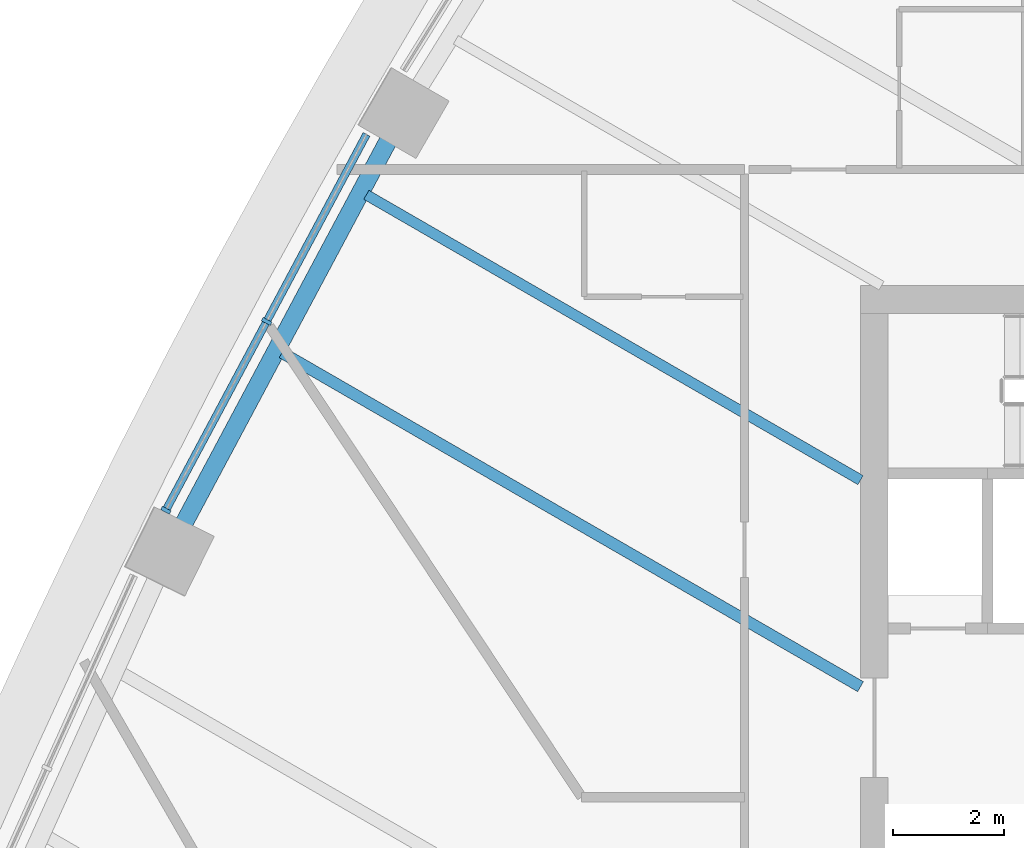
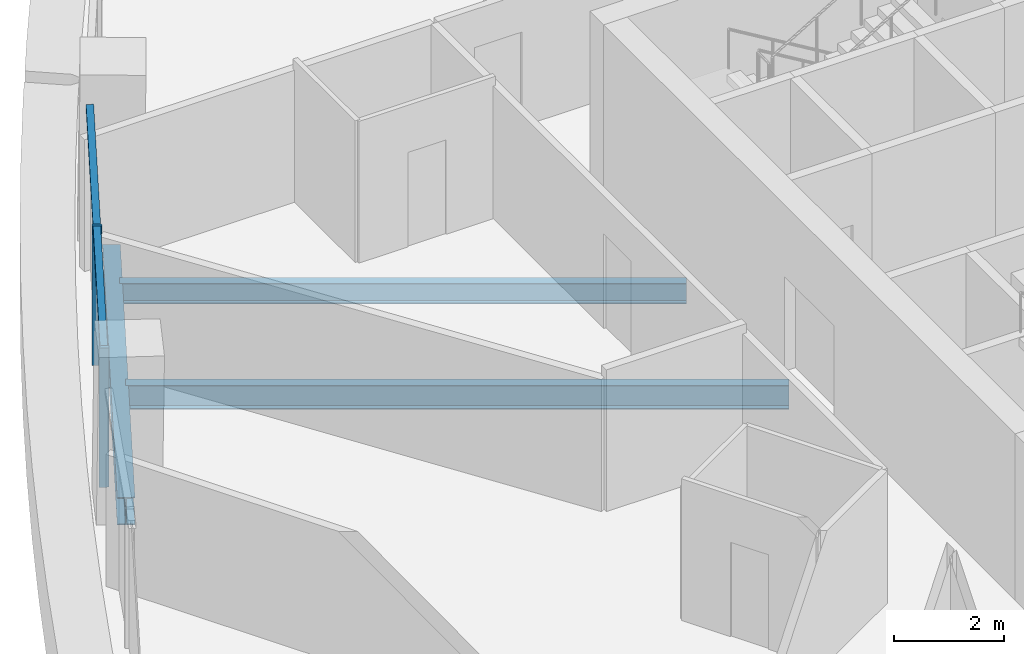
# One storey, part 3 of 17: 4 members, 3 beams, 1 element without a shape of its own.
"""IFC4 building model written with IfcOpenShell, lengths in metres."""

from ifc_helpers import new_model, si_unit, direction, frame, origin, origin_2d, place, context, subcontext, project, spatial, rectangle, i_section, extrude, material, layer, layer_set, material_profile, profile_set, type_object, element, aggregate, save


model = new_model("IFC4")

# Units and contexts
model_context = context("Model", 3, precision=1e-05, world=origin(), true_north=direction((0.0, 1.0)))
body_context = subcontext(model_context, "Body", "Model", "MODEL_VIEW")
ifc_project = project(units=[si_unit("LENGTHUNIT", "METRE"), si_unit("AREAUNIT", "SQUARE_METRE"), si_unit("VOLUMEUNIT", "CUBIC_METRE"), si_unit("PLANEANGLEUNIT", "RADIAN"), si_unit("MASSUNIT", "GRAM", prefix="KILO")], contexts=[model_context])

# Site, building, storey
site_placement = place(None, origin())
site = spatial("IfcSite", under=ifc_project, at=site_placement, CompositionType="ELEMENT")
building_placement = place(site_placement, origin())
building = spatial("IfcBuilding", under=site, at=building_placement, Name="Sierra Prisma Convention Tower", CompositionType="ELEMENT")
storey_placement = place(building_placement, frame((0.0, 0.0, 92.39990234375)))
storey = spatial("IfcBuildingStorey", under=building, at=storey_placement, Name="L19", CompositionType="ELEMENT", Elevation=92.39990234375)

# Curtain wall, members
ifc_material_1 = material(Name="Aluminium and glass curtain wall", Category="aluminium")
ifc_layer = layer(ifc_material_1, 0.179931640625)
ifc_layer_set = layer_set([ifc_layer], Name="CW-1 Plain shaft curtain wall")
curtain_wall_type = type_object("IfcCurtainWallType", Name="CW-1 Plain shaft curtain wall", PredefinedType="NOTDEFINED", material=ifc_layer_set)
curtain_wall_placement = place(storey_placement, origin())
curtain_wall = element("IfcCurtainWall", 1, at=curtain_wall_placement, inside=storey, type_object=curtain_wall_type, Name="CW-1 NW4 L19", PredefinedType="NOTDEFINED")
ifc_material_2 = material(Name="Aluminium 6063-T6 bronze anodised", Category="aluminium")
ifc_material_profile_1 = material_profile(ifc_material_2, rectangle(XDim=0.179931640625, YDim=0.070068359375, at=origin_2d()), Name="ALU MULLION 70x180")
ifc_profile_set_1 = profile_set([ifc_material_profile_1], Name="Aluminium 6063-T6 bronze anodised")
member_type_1 = type_object("IfcMemberType", Name="CW mullion bronze", PredefinedType="MULLION", material=ifc_profile_set_1)
member_1_placement = place(storey_placement, frame((-21.742431640625, 7.35302734375, 0.0), z_axis=(0.0, 0.0, 1.0), x_axis=(0.882162633822, -0.470944887952, 0.0)))
member_1 = element("IfcMember", 2, at=member_1_placement, type_object=member_type_1, Name="CW-1 mullion NW4.2", PredefinedType="MULLION", context=body_context, shape_type="SweptSolid", body=[
    extrude(rectangle(XDim=0.179931640625, YDim=0.070068359375, at=origin_2d()), origin(), (0.0, 0.0, 1.0), 3.10009765625),
])
member_2_placement = place(storey_placement, frame((-23.5654296875, 3.938232421875, 0.0), z_axis=(0.0, 0.0, 1.0), x_axis=(0.882162633822, -0.470944887952, 0.0)))
member_2 = element("IfcMember", 3, at=member_2_placement, type_object=member_type_1, Name="CW-1 mullion NW4.3", PredefinedType="MULLION", context=body_context, shape_type="SweptSolid", body=[
    extrude(rectangle(XDim=0.179931640625, YDim=0.070068359375, at=origin_2d()), origin(), (0.0, 0.0, 1.0), 3.10009765625),
])
ifc_material_3 = material(Name="Aluminium 6063-T6 bronze anodised", Category="aluminium")
ifc_material_profile_2 = material_profile(ifc_material_3, rectangle(XDim=0.139892578125, YDim=0.1201171875, at=origin_2d()), Name="ALU TRANSOM 120x140")
ifc_profile_set_2 = profile_set([ifc_material_profile_2], Name="Aluminium 6063-T6 bronze anodised")
member_type_2 = type_object("IfcMemberType", Name="CW transom bronze", PredefinedType="USERDEFINED", material=ifc_profile_set_2)
member_3_placement = place(storey_placement, frame((-19.93603515625, 10.73681640625, 3.0400390625), z_axis=(-0.470898262307, -0.882187523465, 0.0), x_axis=(0.882187523465, -0.470898262307, 0.0)))
member_3 = element("IfcMember", 4, at=member_3_placement, type_object=member_type_2, Name="CW-1 transom NW4.1", ObjectType="TRANSOM", PredefinedType="USERDEFINED", context=body_context, shape_type="SweptSolid", body=[
    extrude(rectangle(XDim=0.139892578125, YDim=0.1201171875, at=origin_2d()), origin(), (0.0, 0.0, 1.0), 3.80078125),
])
member_4_placement = place(storey_placement, frame((-21.759033203125, 7.322021484375, 3.0400390625), z_axis=(-0.470924947661, -0.88217327871, 0.0), x_axis=(0.88217327871, -0.470924947661, 0.0)))
member_4 = element("IfcMember", 5, at=member_4_placement, type_object=member_type_2, Name="CW-1 transom NW4.2", ObjectType="TRANSOM", PredefinedType="USERDEFINED", context=body_context, shape_type="SweptSolid", body=[
    extrude(rectangle(XDim=0.139892578125, YDim=0.1201171875, at=origin_2d()), origin(), (0.0, 0.0, 1.0), 3.800537109375),
])
aggregate(curtain_wall, [member_1, member_2, member_3, member_4])

# Beams
ifc_material_4 = material(Name="Steel ASTM A992 Gr 50", Category="steel")
ifc_material_profile_3 = material_profile(ifc_material_4, i_section(OverallWidth=0.18994140625, OverallDepth=0.45703125, WebThickness=0.009033203125, FlangeThickness=0.014404296875, at=origin_2d()), Name="W460x74")
ifc_profile_set_3 = profile_set([ifc_material_profile_3], Name="Steel ASTM A992 Gr 50")
beam_type_1 = type_object("IfcBeamType", Name="Floor joist W460x74", PredefinedType="JOIST", material=ifc_profile_set_3)
beam_1_placement = place(storey_placement, frame((-19.938720703125, 9.6435546875, -0.37841796875), z_axis=(0.866020542852, -0.500008419287, 0.0), x_axis=(0.500008419287, 0.866020542852, 0.0)))
element("IfcBeam", 6, at=beam_1_placement, inside=storey, type_object=beam_type_1, Name="Floor joist L19 NW09", PredefinedType="JOIST", context=body_context, shape_type="SweptSolid", body=[
    extrude(i_section(OverallWidth=0.18994140625, OverallDepth=0.45703125, WebThickness=0.009033203125, FlangeThickness=0.014404296875, at=origin_2d()), origin(), (0.0, 0.0, 1.0), 10.321533203125),
])
ifc_material_5 = material(Name="Steel ASTM A992 Gr 50", Category="steel")
ifc_material_profile_4 = material_profile(ifc_material_5, i_section(OverallWidth=0.208984375, OverallDepth=0.532958984375, WebThickness=0.01025390625, FlangeThickness=0.015625, at=origin_2d()), Name="W530x92")
ifc_profile_set_4 = profile_set([ifc_material_profile_4], Name="Steel ASTM A992 Gr 50")
beam_type_2 = type_object("IfcBeamType", Name="Floor joist W530x92", PredefinedType="JOIST", material=ifc_profile_set_4)
beam_2_placement = place(storey_placement, frame((-21.46337890625, 6.78759765625, -0.41650390625), z_axis=(0.866026084844, -0.499998820369, 0.0), x_axis=(0.499998820369, 0.866026084844, 0.0)))
element("IfcBeam", 7, at=beam_2_placement, inside=storey, type_object=beam_type_2, Name="Floor joist L19 NW10", PredefinedType="JOIST", context=body_context, shape_type="SweptSolid", body=[
    extrude(i_section(OverallWidth=0.208984375, OverallDepth=0.532958984375, WebThickness=0.01025390625, FlangeThickness=0.015625, at=origin_2d()), origin(), (0.0, 0.0, 1.0), 12.08203125),
])
ifc_material_6 = material(Name="Steel ASTM A992 Gr 50", Category="steel")
ifc_material_profile_5 = material_profile(ifc_material_6, i_section(OverallWidth=0.324951171875, OverallDepth=0.615966796875, WebThickness=0.013916015625, FlangeThickness=0.021484375, at=origin_2d()), Name="W610x174")
ifc_profile_set_5 = profile_set([ifc_material_profile_5], Name="Steel ASTM A992 Gr 50")
beam_type_3 = type_object("IfcBeamType", Name="Spandrel beam W610x174", PredefinedType="BEAM", material=ifc_profile_set_5)
beam_3_placement = place(storey_placement, frame((-19.500244140625, 10.7041015625, -0.4580078125), z_axis=(-0.470953971616, -0.882157784424, 0.0), x_axis=(0.882157784424, -0.470953971616, 0.0)))
element("IfcBeam", 8, at=beam_3_placement, inside=storey, type_object=beam_type_3, Name="Spandrel L19-16", PredefinedType="BEAM", context=body_context, shape_type="SweptSolid", body=[
    extrude(i_section(OverallWidth=0.324951171875, OverallDepth=0.615966796875, WebThickness=0.013916015625, FlangeThickness=0.021484375, at=origin_2d()), origin(), (0.0, 0.0, 1.0), 8.037109375),
])

save(model, "model.ifc")
